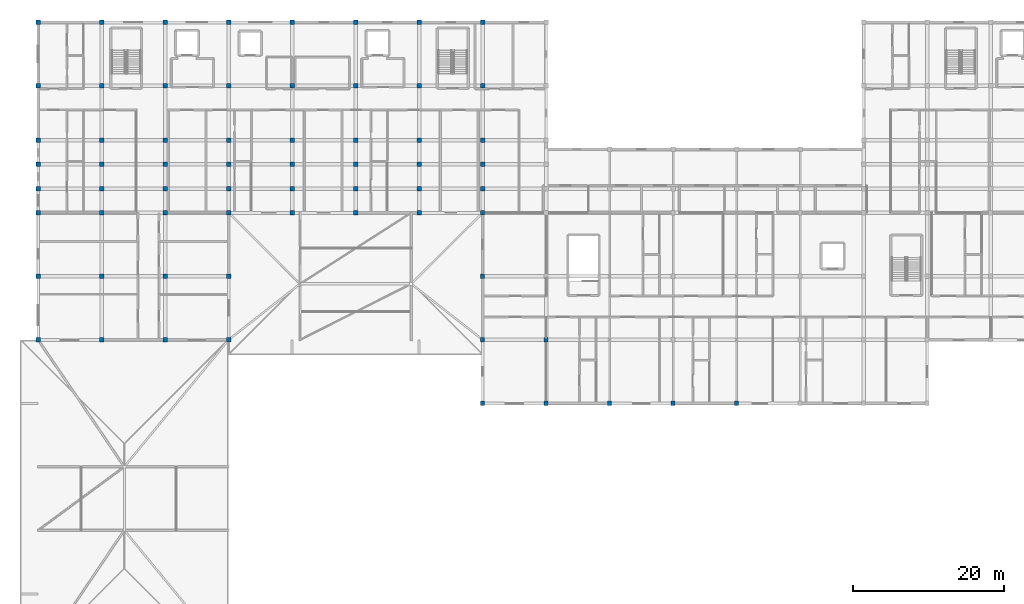
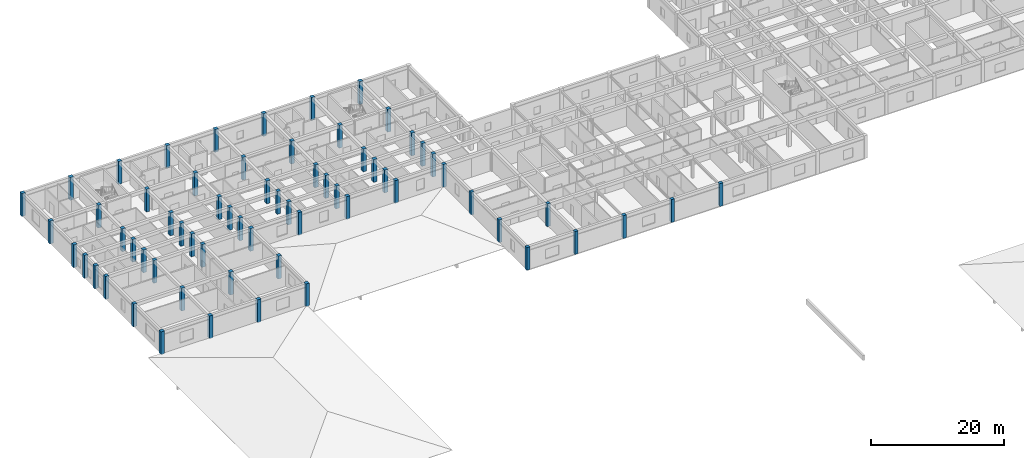
# One storey, part 1 of 42: 64 columns.
"""IFC4 building model written with IfcOpenShell, lengths in metres."""

from ifc_helpers import new_model, si_unit, direction, frame, origin, origin_2d, place, context, subcontext, project, spatial, rectangle, extrude, material, material_profile, profile_set, type_object, element, save


model = new_model("IFC4")

# Units and contexts
model_context = context("Model", 3, precision=1e-05, world=origin(), true_north=direction((0.0, 1.0)))
body_context = subcontext(model_context, "Body", "Model", "MODEL_VIEW")
ifc_project = project(units=[si_unit("LENGTHUNIT", "METRE"), si_unit("AREAUNIT", "SQUARE_METRE"), si_unit("VOLUMEUNIT", "CUBIC_METRE"), si_unit("PLANEANGLEUNIT", "RADIAN"), si_unit("MASSUNIT", "GRAM", prefix="KILO")], contexts=[model_context])

# Site, building, storey
site_placement = place(None, origin())
site = spatial("IfcSite", under=ifc_project, at=site_placement, CompositionType="ELEMENT")
building_placement = place(site_placement, origin())
building = spatial("IfcBuilding", under=site, at=building_placement, Name="Varncliffe General Hospital", CompositionType="ELEMENT")
storey_placement = place(building_placement, frame((0.0, 0.0, 20.39990234375)))
storey = spatial("IfcBuildingStorey", under=building, at=storey_placement, Name="L04", CompositionType="ELEMENT", Elevation=20.39990234375)

# Columns
ifc_material = material(Name="Concrete C40/50 (CSA A23.1 40 MPa)", Category="concrete")
ifc_material_profile_1 = material_profile(ifc_material, rectangle(XDim=0.550048828125, YDim=0.550048828125, at=origin_2d()), Name="RC 550x550")
ifc_profile_set_1 = profile_set([ifc_material_profile_1], Name="Concrete C40/50 (CSA A23.1 40 MPa)")
column_type_1 = type_object("IfcColumnType", Name="Column C26 (Ext RC 550x550)", PredefinedType="COLUMN", material=ifc_profile_set_1)
for number, where, z_axis, x_axis, name in (
    (1, (58.800048828125, 74.39990234375, 0.0), (0.0, 0.0, 1.0), (1.0, 0.0, 0.0), "L04 Column C26"),
    (2, (58.800048828125, 82.800048828125, 0.0), (0.0, 0.0, 1.0), (1.0, 0.0, 0.0), "L04 Column C26"),
    (3, (58.800048828125, 91.199951171875, 0.0), (0.0, 0.0, 1.0), (1.0, 0.0, 0.0), "L04 Column C26"),
    (4, (58.800048828125, 99.60009765625, 0.0), (0.0, 0.0, 1.0), (1.0, 0.0, 0.0), "L04 Column C26"),
    (5, (67.199951171875, 74.39990234375, 0.0), (0.0, 0.0, 1.0), (1.0, 0.0, 0.0), "L04 Column C26"),
    (6, (75.60009765625, 74.39990234375, 0.0), (0.0, 0.0, 1.0), (1.0, 0.0, 0.0), "L04 Column C26"),
    (7, (84.0, 74.39990234375, 0.0), (0.0, 0.0, 1.0), (1.0, 0.0, 0.0), "L04 Column C26"),
    (8, (92.39990234375, 74.39990234375, 0.0), (0.0, 0.0, 1.0), (1.0, 0.0, 0.0), "L04 Column C26"),
):
    element("IfcColumn", number, at=place(storey_placement, frame(where, z_axis=z_axis, x_axis=x_axis)), inside=storey, type_object=column_type_1, Name=name, PredefinedType="COLUMN", context=body_context, shape_type="SweptSolid", body=[
        extrude(rectangle(XDim=0.550048828125, YDim=0.550048828125, at=origin_2d()), origin(), (0.0, 0.0, 1.0), 4.2001953125),
    ])
ifc_material_profile_2 = material_profile(ifc_material, rectangle(XDim=0.60009765625, YDim=0.60009765625, at=origin_2d()), Name="RC 600x600")
ifc_profile_set_2 = profile_set([ifc_material_profile_2], Name="Concrete C40/50 (CSA A23.1 40 MPa)")
column_type_2 = type_object("IfcColumnType", Name="Column C27 (Ext RC 600x600)", PredefinedType="COLUMN", material=ifc_profile_set_2)
for number, where, z_axis, x_axis, name in (
    (9, (0.0, 82.800048828125, 0.0), (0.0, 0.0, 1.0), (1.0, 0.0, 0.0), "L04 Column C27"),
    (10, (0.0, 91.199951171875, 0.0), (0.0, 0.0, 1.0), (1.0, 0.0, 0.0), "L04 Column C27"),
    (11, (0.0, 99.60009765625, 0.0), (0.0, 0.0, 1.0), (1.0, 0.0, 0.0), "L04 Column C27"),
    (12, (0.0, 102.800048828125, 0.0), (0.0, 0.0, 1.0), (1.0, 0.0, 0.0), "L04 Column C27"),
    (13, (0.0, 106.0, 0.0), (0.0, 0.0, 1.0), (1.0, 0.0, 0.0), "L04 Column C27"),
    (14, (0.0, 109.199951171875, 0.0), (0.0, 0.0, 1.0), (1.0, 0.0, 0.0), "L04 Column C27"),
    (15, (0.0, 116.39990234375, 0.0), (0.0, 0.0, 1.0), (1.0, 0.0, 0.0), "L04 Column C27"),
    (16, (0.0, 124.800048828125, 0.0), (0.0, 0.0, 1.0), (1.0, 0.0, 0.0), "L04 Column C27"),
    (17, (8.39990234375, 82.800048828125, 0.0), (0.0, 0.0, 1.0), (1.0, 0.0, 0.0), "L04 Column C27"),
    (18, (8.39990234375, 124.800048828125, 0.0), (0.0, 0.0, 1.0), (1.0, 0.0, 0.0), "L04 Column C27"),
    (19, (16.800048828125, 82.800048828125, 0.0), (0.0, 0.0, 1.0), (1.0, 0.0, 0.0), "L04 Column C27"),
    (20, (16.800048828125, 124.800048828125, 0.0), (0.0, 0.0, 1.0), (1.0, 0.0, 0.0), "L04 Column C27"),
    (21, (25.199951171875, 82.800048828125, 0.0), (0.0, 0.0, 1.0), (1.0, 0.0, 0.0), "L04 Column C27"),
    (22, (25.199951171875, 91.199951171875, 0.0), (0.0, 0.0, 1.0), (1.0, 0.0, 0.0), "L04 Column C27"),
    (23, (25.199951171875, 99.60009765625, 0.0), (0.0, 0.0, 1.0), (1.0, 0.0, 0.0), "L04 Column C27"),
    (24, (25.199951171875, 124.800048828125, 0.0), (0.0, 0.0, 1.0), (1.0, 0.0, 0.0), "L04 Column C27"),
    (25, (33.60009765625, 99.60009765625, 0.0), (0.0, 0.0, 1.0), (1.0, 0.0, 0.0), "L04 Column C27"),
    (26, (33.60009765625, 124.800048828125, 0.0), (0.0, 0.0, 1.0), (1.0, 0.0, 0.0), "L04 Column C27"),
    (27, (42.0, 99.60009765625, 0.0), (0.0, 0.0, 1.0), (1.0, 0.0, 0.0), "L04 Column C27"),
    (28, (42.0, 124.800048828125, 0.0), (0.0, 0.0, 1.0), (1.0, 0.0, 0.0), "L04 Column C27"),
    (29, (50.39990234375, 99.60009765625, 0.0), (0.0, 0.0, 1.0), (1.0, 0.0, 0.0), "L04 Column C27"),
    (30, (50.39990234375, 124.800048828125, 0.0), (0.0, 0.0, 1.0), (1.0, 0.0, 0.0), "L04 Column C27"),
    (31, (58.800048828125, 124.800048828125, 0.0), (0.0, 0.0, 1.0), (1.0, 0.0, 0.0), "L04 Column C27"),
):
    element("IfcColumn", number, at=place(storey_placement, frame(where, z_axis=z_axis, x_axis=x_axis)), inside=storey, type_object=column_type_2, Name=name, PredefinedType="COLUMN", context=body_context, shape_type="SweptSolid", body=[
        extrude(rectangle(XDim=0.60009765625, YDim=0.60009765625, at=origin_2d()), origin(), (0.0, 0.0, 1.0), 4.2001953125),
    ])
ifc_material_profile_3 = material_profile(ifc_material, rectangle(XDim=0.60009765625, YDim=0.60009765625, at=origin_2d()), Name="RC 600x600")
ifc_profile_set_3 = profile_set([ifc_material_profile_3], Name="Concrete C40/50 (CSA A23.1 40 MPa)")
column_type_3 = type_object("IfcColumnType", Name="Column C82 (Int RC 600x600)", PredefinedType="COLUMN", material=ifc_profile_set_3)
for number, where, z_axis, x_axis, name in (
    (32, (8.39990234375, 91.199951171875, 0.0), (0.0, 0.0, 1.0), (1.0, 0.0, 0.0), "L04 Column C82"),
    (33, (8.39990234375, 99.60009765625, 0.0), (0.0, 0.0, 1.0), (1.0, 0.0, 0.0), "L04 Column C82"),
    (34, (8.39990234375, 102.800048828125, 0.0), (0.0, 0.0, 1.0), (1.0, 0.0, 0.0), "L04 Column C82"),
    (35, (8.39990234375, 106.0, 0.0), (0.0, 0.0, 1.0), (1.0, 0.0, 0.0), "L04 Column C82"),
    (36, (8.39990234375, 109.199951171875, 0.0), (0.0, 0.0, 1.0), (1.0, 0.0, 0.0), "L04 Column C82"),
    (37, (8.39990234375, 116.39990234375, 0.0), (0.0, 0.0, 1.0), (1.0, 0.0, 0.0), "L04 Column C82"),
    (38, (16.800048828125, 91.199951171875, 0.0), (0.0, 0.0, 1.0), (1.0, 0.0, 0.0), "L04 Column C82"),
    (39, (16.800048828125, 99.60009765625, 0.0), (0.0, 0.0, 1.0), (1.0, 0.0, 0.0), "L04 Column C82"),
    (40, (16.800048828125, 102.800048828125, 0.0), (0.0, 0.0, 1.0), (1.0, 0.0, 0.0), "L04 Column C82"),
    (41, (16.800048828125, 106.0, 0.0), (0.0, 0.0, 1.0), (1.0, 0.0, 0.0), "L04 Column C82"),
    (42, (16.800048828125, 109.199951171875, 0.0), (0.0, 0.0, 1.0), (1.0, 0.0, 0.0), "L04 Column C82"),
    (43, (16.800048828125, 116.39990234375, 0.0), (0.0, 0.0, 1.0), (1.0, 0.0, 0.0), "L04 Column C82"),
    (44, (25.199951171875, 102.800048828125, 0.0), (0.0, 0.0, 1.0), (1.0, 0.0, 0.0), "L04 Column C82"),
    (45, (25.199951171875, 106.0, 0.0), (0.0, 0.0, 1.0), (1.0, 0.0, 0.0), "L04 Column C82"),
    (46, (25.199951171875, 109.199951171875, 0.0), (0.0, 0.0, 1.0), (1.0, 0.0, 0.0), "L04 Column C82"),
    (47, (25.199951171875, 116.39990234375, 0.0), (0.0, 0.0, 1.0), (1.0, 0.0, 0.0), "L04 Column C82"),
    (48, (33.60009765625, 102.800048828125, 0.0), (0.0, 0.0, 1.0), (1.0, 0.0, 0.0), "L04 Column C82"),
    (49, (33.60009765625, 106.0, 0.0), (0.0, 0.0, 1.0), (1.0, 0.0, 0.0), "L04 Column C82"),
    (50, (33.60009765625, 109.199951171875, 0.0), (0.0, 0.0, 1.0), (1.0, 0.0, 0.0), "L04 Column C82"),
    (51, (33.60009765625, 116.39990234375, 0.0), (0.0, 0.0, 1.0), (1.0, 0.0, 0.0), "L04 Column C82"),
    (52, (42.0, 102.800048828125, 0.0), (0.0, 0.0, 1.0), (1.0, 0.0, 0.0), "L04 Column C82"),
    (53, (42.0, 106.0, 0.0), (0.0, 0.0, 1.0), (1.0, 0.0, 0.0), "L04 Column C82"),
    (54, (42.0, 109.199951171875, 0.0), (0.0, 0.0, 1.0), (1.0, 0.0, 0.0), "L04 Column C82"),
    (55, (42.0, 116.39990234375, 0.0), (0.0, 0.0, 1.0), (1.0, 0.0, 0.0), "L04 Column C82"),
    (56, (50.39990234375, 102.800048828125, 0.0), (0.0, 0.0, 1.0), (1.0, 0.0, 0.0), "L04 Column C82"),
    (57, (50.39990234375, 106.0, 0.0), (0.0, 0.0, 1.0), (1.0, 0.0, 0.0), "L04 Column C82"),
    (58, (50.39990234375, 109.199951171875, 0.0), (0.0, 0.0, 1.0), (1.0, 0.0, 0.0), "L04 Column C82"),
    (59, (50.39990234375, 116.39990234375, 0.0), (0.0, 0.0, 1.0), (1.0, 0.0, 0.0), "L04 Column C82"),
    (60, (58.800048828125, 102.800048828125, 0.0), (0.0, 0.0, 1.0), (1.0, 0.0, 0.0), "L04 Column C82"),
    (61, (58.800048828125, 106.0, 0.0), (0.0, 0.0, 1.0), (1.0, 0.0, 0.0), "L04 Column C82"),
    (62, (58.800048828125, 109.199951171875, 0.0), (0.0, 0.0, 1.0), (1.0, 0.0, 0.0), "L04 Column C82"),
    (63, (58.800048828125, 116.39990234375, 0.0), (0.0, 0.0, 1.0), (1.0, 0.0, 0.0), "L04 Column C82"),
):
    element("IfcColumn", number, at=place(storey_placement, frame(where, z_axis=z_axis, x_axis=x_axis)), inside=storey, type_object=column_type_3, Name=name, PredefinedType="COLUMN", context=body_context, shape_type="SweptSolid", body=[
        extrude(rectangle(XDim=0.60009765625, YDim=0.60009765625, at=origin_2d()), origin(), (0.0, 0.0, 1.0), 4.2001953125),
    ])
ifc_material_profile_4 = material_profile(ifc_material, rectangle(XDim=0.550048828125, YDim=0.550048828125, at=origin_2d()), Name="RC 550x550")
ifc_profile_set_4 = profile_set([ifc_material_profile_4], Name="Concrete C40/50 (CSA A23.1 40 MPa)")
column_type_4 = type_object("IfcColumnType", Name="Column C85 (Int RC 550x550)", PredefinedType="COLUMN", material=ifc_profile_set_4)
column_placement = place(storey_placement, frame((67.199951171875, 82.800048828125, 0.0), z_axis=(0.0, 0.0, 1.0), x_axis=(1.0, 0.0, 0.0)))
element("IfcColumn", 64, at=column_placement, inside=storey, type_object=column_type_4, Name="L04 Column C85", PredefinedType="COLUMN", context=body_context, shape_type="SweptSolid", body=[
    extrude(rectangle(XDim=0.550048828125, YDim=0.550048828125, at=origin_2d()), origin(), (0.0, 0.0, 1.0), 4.2001953125),
])

save(model, "model.ifc")
